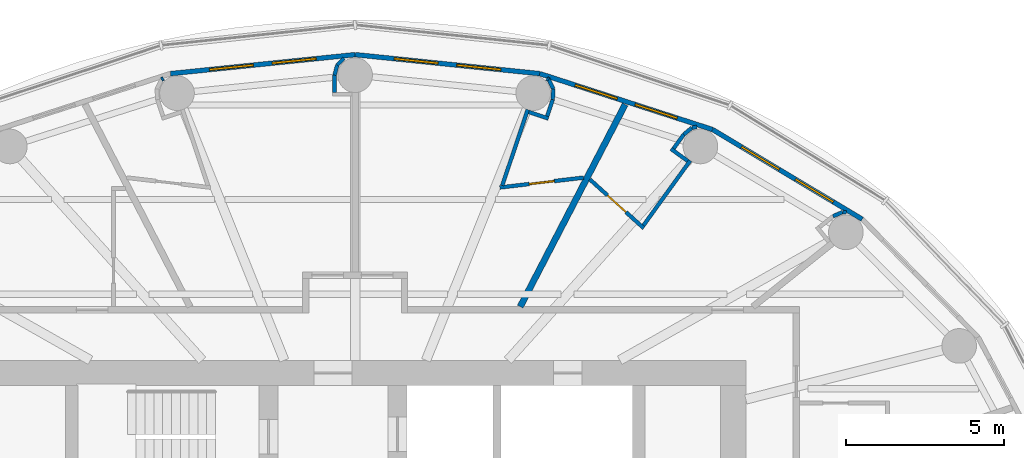
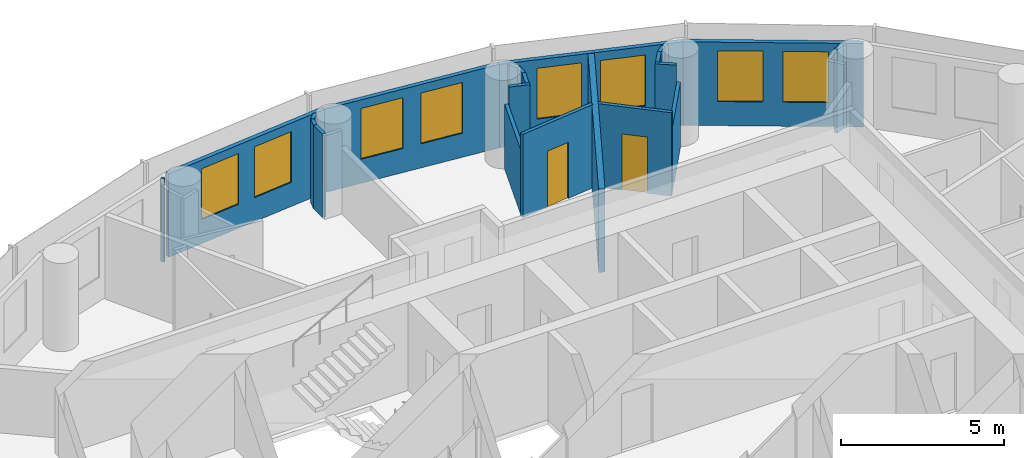
# One storey, part 13 of 16: 24 walls, 8 windows, 2 doors, 10 openings.
"""IFC4 building model written with IfcOpenShell, lengths in metres."""

from ifc_helpers import new_model, si_unit, direction, frame, frame_2d, origin, place, context, subcontext, project, spatial, rectangle, extrude, material, layer, layer_set, type_object, element, fill, save


model = new_model("IFC4")

# Units and contexts
model_context = context("Model", 3, precision=1e-05, world=origin(), true_north=direction((0.0, 1.0)))
body_context = subcontext(model_context, "Body", "Model", "MODEL_VIEW")
ifc_project = project(units=[si_unit("LENGTHUNIT", "METRE"), si_unit("AREAUNIT", "SQUARE_METRE"), si_unit("VOLUMEUNIT", "CUBIC_METRE"), si_unit("PLANEANGLEUNIT", "RADIAN"), si_unit("MASSUNIT", "GRAM", prefix="KILO")], contexts=[model_context])

# Site, building, storey
site_placement = place(None, origin())
site = spatial("IfcSite", under=ifc_project, at=site_placement, CompositionType="ELEMENT")
building_placement = place(site_placement, origin())
building = spatial("IfcBuilding", under=site, at=building_placement, Name="Hankou Lantern Tower", CompositionType="ELEMENT")
storey_placement = place(building_placement, frame((0.0, 0.0, 173.10009765625)))
storey = spatial("IfcBuildingStorey", under=building, at=storey_placement, Name="L46", CompositionType="ELEMENT", Elevation=173.10009765625)

# Wall, openings, windows
ifc_material_1 = material(Name="Aluminium spandrel panel on steel studs", Category="steel")
ifc_layer_1 = layer(ifc_material_1, 0.14990234375)
ifc_layer_set_1 = layer_set([ifc_layer_1], Name="Aluminium spandrel panel on steel studs")
wall_type_1 = type_object("IfcWallType", Name="EW1 INNER SKIN WALL 150", PredefinedType="ELEMENTEDWALL", material=ifc_layer_set_1)
wall_1_placement = place(storey_placement, frame((16.0947265625, 12.875732421875, 0.0), z_axis=(0.0, 0.0, 1.0), x_axis=(-0.857695199231, 0.514158482587, 0.0)))
wall_1 = element("IfcWall", 1, at=wall_1_placement, inside=storey, type_object=wall_type_1, Name="Inner skin R04-R05 L46", PredefinedType="ELEMENTEDWALL", context=body_context, shape_type="SweptSolid", body=[
    extrude(rectangle(XDim=5.5361328125, YDim=0.14990234375, at=frame_2d((2.76806640625, 0.0))), origin(), (0.0, 0.0, 1.0), 3.119873046875),
])
opening_1_placement = place(wall_1_placement, frame((1.068115234375, 0.0, 0.89990234375)))
opening_1 = element("IfcOpeningElement", 2, at=opening_1_placement, cuts=wall_1, Name="Opening W3", PredefinedType="OPENING", context=body_context, shape_type="SweptSolid", body=[
    extrude(rectangle(XDim=1.39990234375, YDim=1.89990234375, at=frame_2d((0.699951171875, 0.949951171875))), frame((0.0, 0.0849609375, 0.0), z_axis=(0.0, -1.0, 0.0), x_axis=(1.0, 0.0, 0.0)), (0.0, 0.0, 1.0), 0.169921875),
])
opening_2_placement = place(wall_1_placement, frame((3.068115234375, 0.0, 0.89990234375)))
opening_2 = element("IfcOpeningElement", 3, at=opening_2_placement, cuts=wall_1, Name="Opening W3", PredefinedType="OPENING", context=body_context, shape_type="SweptSolid", body=[
    extrude(rectangle(XDim=1.39990234375, YDim=1.89990234375, at=frame_2d((0.699951171875, 0.949951171875))), frame((0.0, 0.0849609375, 0.0), z_axis=(0.0, -1.0, 0.0), x_axis=(1.0, 0.0, 0.0)), (0.0, 0.0, 1.0), 0.169921875),
])
ifc_material_2 = material(Name="Aluminium framed double glazed window", Category="aluminium")
window_type = type_object("IfcWindowType", Name="W3 GUEST ROOM WINDOW 1400X1900", PartitioningType="DOUBLE_PANEL_VERTICAL", PredefinedType="WINDOW", material=ifc_material_2)
window_1_placement = place(opening_1_placement, origin())
window_1 = element("IfcWindow", 4, at=window_1_placement, inside=storey, type_object=window_type, Name="Window R04.1 L46", OverallHeight=1.89990234375, OverallWidth=1.39990234375, PartitioningType="SINGLE_PANEL", PredefinedType="WINDOW", context=body_context, shape_type="SweptSolid", body=[
    extrude(rectangle(XDim=1.39990234375, YDim=1.89990234375, at=frame_2d((0.699951171875, 0.949951171875))), frame((0.0, 0.030029296875, 0.0), z_axis=(0.0, -1.0, 0.0), x_axis=(1.0, 0.0, 0.0)), (0.0, 0.0, 1.0), 0.06005859375),
])
fill(opening_1, window_1)
window_2_placement = place(opening_2_placement, origin())
window_2 = element("IfcWindow", 5, at=window_2_placement, inside=storey, type_object=window_type, Name="Window R04.2 L46", OverallHeight=1.89990234375, OverallWidth=1.39990234375, PartitioningType="SINGLE_PANEL", PredefinedType="WINDOW", context=body_context, shape_type="SweptSolid", body=[
    extrude(rectangle(XDim=1.39990234375, YDim=1.89990234375, at=frame_2d((0.699951171875, 0.949951171875))), frame((0.0, 0.030029296875, 0.0), z_axis=(0.0, -1.0, 0.0), x_axis=(1.0, 0.0, 0.0)), (0.0, 0.0, 1.0), 0.06005859375),
])
fill(opening_2, window_2)

wall_2_placement = place(storey_placement, frame((11.346435546875, 15.72216796875, 0.0), z_axis=(0.0, 0.0, 1.0), x_axis=(-0.951432482129, 0.307857486429, 0.0)))
wall_2 = element("IfcWall", 6, at=wall_2_placement, inside=storey, type_object=wall_type_1, Name="Inner skin R05-R06 L46", PredefinedType="ELEMENTEDWALL", context=body_context, shape_type="SweptSolid", body=[
    extrude(rectangle(XDim=5.76611328125, YDim=0.14990234375, at=frame_2d((2.883056640625, 0.0))), origin(), (0.0, 0.0, 1.0), 3.119873046875),
])
opening_3_placement = place(wall_2_placement, frame((1.18310546875, 0.0, 0.89990234375)))
opening_3 = element("IfcOpeningElement", 7, at=opening_3_placement, cuts=wall_2, Name="Opening W3", PredefinedType="OPENING", context=body_context, shape_type="SweptSolid", body=[
    extrude(rectangle(XDim=1.39990234375, YDim=1.89990234375, at=frame_2d((0.699951171875, 0.949951171875))), frame((0.0, 0.0849609375, 0.0), z_axis=(0.0, -1.0, 0.0), x_axis=(1.0, 0.0, 0.0)), (0.0, 0.0, 1.0), 0.169921875),
])
opening_4_placement = place(wall_2_placement, frame((3.18310546875, 0.0, 0.89990234375)))
opening_4 = element("IfcOpeningElement", 8, at=opening_4_placement, cuts=wall_2, Name="Opening W3", PredefinedType="OPENING", context=body_context, shape_type="SweptSolid", body=[
    extrude(rectangle(XDim=1.39990234375, YDim=1.89990234375, at=frame_2d((0.699951171875, 0.949951171875))), frame((0.0, 0.0849609375, 0.0), z_axis=(0.0, -1.0, 0.0), x_axis=(1.0, 0.0, 0.0)), (0.0, 0.0, 1.0), 0.169921875),
])
window_3_placement = place(opening_3_placement, origin())
window_3 = element("IfcWindow", 9, at=window_3_placement, inside=storey, type_object=window_type, Name="Window R05.1 L46", OverallHeight=1.89990234375, OverallWidth=1.39990234375, PartitioningType="SINGLE_PANEL", PredefinedType="WINDOW", context=body_context, shape_type="SweptSolid", body=[
    extrude(rectangle(XDim=1.39990234375, YDim=1.89990234375, at=frame_2d((0.699951171875, 0.949951171875))), frame((0.0, 0.030029296875, 0.0), z_axis=(0.0, -1.0, 0.0), x_axis=(1.0, 0.0, 0.0)), (0.0, 0.0, 1.0), 0.06005859375),
])
fill(opening_3, window_3)
window_4_placement = place(opening_4_placement, origin())
window_4 = element("IfcWindow", 10, at=window_4_placement, inside=storey, type_object=window_type, Name="Window R05.2 L46", OverallHeight=1.89990234375, OverallWidth=1.39990234375, PartitioningType="SINGLE_PANEL", PredefinedType="WINDOW", context=body_context, shape_type="SweptSolid", body=[
    extrude(rectangle(XDim=1.39990234375, YDim=1.89990234375, at=frame_2d((0.699951171875, 0.949951171875))), frame((0.0, 0.030029296875, 0.0), z_axis=(0.0, -1.0, 0.0), x_axis=(1.0, 0.0, 0.0)), (0.0, 0.0, 1.0), 0.06005859375),
])
fill(opening_4, window_4)

wall_3_placement = place(storey_placement, frame((5.8603515625, 17.497314453125, 0.0), z_axis=(0.0, 0.0, 1.0), x_axis=(-0.994751738032, 0.102318032045, 0.0)))
wall_3 = element("IfcWall", 11, at=wall_3_placement, inside=storey, type_object=wall_type_1, Name="Inner skin R06-R07 L46", PredefinedType="ELEMENTEDWALL", context=body_context, shape_type="SweptSolid", body=[
    extrude(rectangle(XDim=5.891357421875, YDim=0.14990234375, at=frame_2d((2.94580078125, 0.0))), origin(), (0.0, 0.0, 1.0), 3.119873046875),
])
opening_5_placement = place(wall_3_placement, frame((1.24560546875, 0.0, 0.89990234375)))
opening_5 = element("IfcOpeningElement", 12, at=opening_5_placement, cuts=wall_3, Name="Opening W3", PredefinedType="OPENING", context=body_context, shape_type="SweptSolid", body=[
    extrude(rectangle(XDim=1.39990234375, YDim=1.89990234375, at=frame_2d((0.699951171875, 0.949951171875))), frame((0.0, 0.0849609375, 0.0), z_axis=(0.0, -1.0, 0.0), x_axis=(1.0, 0.0, 0.0)), (0.0, 0.0, 1.0), 0.169921875),
])
opening_6_placement = place(wall_3_placement, frame((3.24560546875, 0.0, 0.89990234375)))
opening_6 = element("IfcOpeningElement", 13, at=opening_6_placement, cuts=wall_3, Name="Opening W3", PredefinedType="OPENING", context=body_context, shape_type="SweptSolid", body=[
    extrude(rectangle(XDim=1.39990234375, YDim=1.89990234375, at=frame_2d((0.699951171875, 0.949951171875))), frame((0.0, 0.0849609375, 0.0), z_axis=(0.0, -1.0, 0.0), x_axis=(1.0, 0.0, 0.0)), (0.0, 0.0, 1.0), 0.169921875),
])
window_5_placement = place(opening_5_placement, origin())
window_5 = element("IfcWindow", 14, at=window_5_placement, inside=storey, type_object=window_type, Name="Window R06.1 L46", OverallHeight=1.89990234375, OverallWidth=1.39990234375, PartitioningType="SINGLE_PANEL", PredefinedType="WINDOW", context=body_context, shape_type="SweptSolid", body=[
    extrude(rectangle(XDim=1.39990234375, YDim=1.89990234375, at=frame_2d((0.699951171875, 0.949951171875))), frame((0.0, 0.030029296875, 0.0), z_axis=(0.0, -1.0, 0.0), x_axis=(1.0, 0.0, 0.0)), (0.0, 0.0, 1.0), 0.06005859375),
])
fill(opening_5, window_5)
window_6_placement = place(opening_6_placement, origin())
window_6 = element("IfcWindow", 15, at=window_6_placement, inside=storey, type_object=window_type, Name="Window R06.2 L46", OverallHeight=1.89990234375, OverallWidth=1.39990234375, PartitioningType="SINGLE_PANEL", PredefinedType="WINDOW", context=body_context, shape_type="SweptSolid", body=[
    extrude(rectangle(XDim=1.39990234375, YDim=1.89990234375, at=frame_2d((0.699951171875, 0.949951171875))), frame((0.0, 0.030029296875, 0.0), z_axis=(0.0, -1.0, 0.0), x_axis=(1.0, 0.0, 0.0)), (0.0, 0.0, 1.0), 0.06005859375),
])
fill(opening_6, window_6)

wall_4_placement = place(storey_placement, frame((0.0, 18.10009765625, 0.0), z_axis=(0.0, 0.0, 1.0), x_axis=(-0.994751738032, -0.102318032045, 0.0)))
wall_4 = element("IfcWall", 16, at=wall_4_placement, inside=storey, type_object=wall_type_1, Name="Inner skin R07-R08 L46", PredefinedType="ELEMENTEDWALL", context=body_context, shape_type="SweptSolid", body=[
    extrude(rectangle(XDim=5.891357421875, YDim=0.14990234375, at=frame_2d((2.94580078125, 0.0))), origin(), (0.0, 0.0, 1.0), 3.119873046875),
])
opening_7_placement = place(wall_4_placement, frame((1.24560546875, 0.0, 0.89990234375)))
opening_7 = element("IfcOpeningElement", 17, at=opening_7_placement, cuts=wall_4, Name="Opening W3", PredefinedType="OPENING", context=body_context, shape_type="SweptSolid", body=[
    extrude(rectangle(XDim=1.39990234375, YDim=1.89990234375, at=frame_2d((0.699951171875, 0.949951171875))), frame((0.0, 0.0849609375, 0.0), z_axis=(0.0, -1.0, 0.0), x_axis=(1.0, 0.0, 0.0)), (0.0, 0.0, 1.0), 0.169921875),
])
opening_8_placement = place(wall_4_placement, frame((3.24560546875, 0.0, 0.89990234375)))
opening_8 = element("IfcOpeningElement", 18, at=opening_8_placement, cuts=wall_4, Name="Opening W3", PredefinedType="OPENING", context=body_context, shape_type="SweptSolid", body=[
    extrude(rectangle(XDim=1.39990234375, YDim=1.89990234375, at=frame_2d((0.699951171875, 0.949951171875))), frame((0.0, 0.0849609375, 0.0), z_axis=(0.0, -1.0, 0.0), x_axis=(1.0, 0.0, 0.0)), (0.0, 0.0, 1.0), 0.169921875),
])
window_7_placement = place(opening_7_placement, origin())
window_7 = element("IfcWindow", 19, at=window_7_placement, inside=storey, type_object=window_type, Name="Window R07.1 L46", OverallHeight=1.89990234375, OverallWidth=1.39990234375, PartitioningType="SINGLE_PANEL", PredefinedType="WINDOW", context=body_context, shape_type="SweptSolid", body=[
    extrude(rectangle(XDim=1.39990234375, YDim=1.89990234375, at=frame_2d((0.699951171875, 0.949951171875))), frame((0.0, 0.030029296875, 0.0), z_axis=(0.0, -1.0, 0.0), x_axis=(1.0, 0.0, 0.0)), (0.0, 0.0, 1.0), 0.06005859375),
])
fill(opening_7, window_7)
window_8_placement = place(opening_8_placement, origin())
window_8 = element("IfcWindow", 20, at=window_8_placement, inside=storey, type_object=window_type, Name="Window R07.2 L46", OverallHeight=1.89990234375, OverallWidth=1.39990234375, PartitioningType="SINGLE_PANEL", PredefinedType="WINDOW", context=body_context, shape_type="SweptSolid", body=[
    extrude(rectangle(XDim=1.39990234375, YDim=1.89990234375, at=frame_2d((0.699951171875, 0.949951171875))), frame((0.0, 0.030029296875, 0.0), z_axis=(0.0, -1.0, 0.0), x_axis=(1.0, 0.0, 0.0)), (0.0, 0.0, 1.0), 0.06005859375),
])
fill(opening_8, window_8)

# Wall
ifc_material_3 = material(Name="Masonry lightweight concrete block", Category="masonry")
ifc_layer_2 = layer(ifc_material_3, 0.199951171875)
ifc_layer_set_2 = layer_set([ifc_layer_2], Name="Masonry lightweight concrete block")
wall_type_2 = type_object("IfcWallType", Name="IW1 GUEST ROOM PARTY WALL 200", PredefinedType="PARTITIONING", material=ifc_layer_set_2)
wall_5_placement = place(storey_placement, frame((5.239990234375, 10.10009765625, 0.0), z_axis=(0.0, 0.0, 1.0), x_axis=(0.460532965373, 0.887642601391, 0.0)))
element("IfcWall", 21, at=wall_5_placement, inside=storey, type_object=wall_type_2, Name="Party wall R05-R06", PredefinedType="PARTITIONING", context=body_context, shape_type="SweptSolid", body=[
    extrude(rectangle(XDim=7.2314453125, YDim=0.199951171875, at=frame_2d((3.61572265625, 0.0))), origin(), (0.0, 0.0, 1.0), 3.119873046875),
])

# Wall, opening, door
ifc_material_4 = material(Name="Masonry lightweight concrete block", Category="masonry")
ifc_layer_3 = layer(ifc_material_4, 0.1201171875)
ifc_layer_set_3 = layer_set([ifc_layer_3], Name="Masonry lightweight concrete block")
wall_type_3 = type_object("IfcWallType", Name="IW3 BATHROOM WALL 120", PredefinedType="PARTITIONING", material=ifc_layer_set_3)
wall_6_placement = place(storey_placement, frame((7.44970703125, 14.1416015625, 0.0), z_axis=(0.0, 0.0, 1.0), x_axis=(0.74113984586, -0.671350675041, 0.0)))
wall_6 = element("IfcWall", 22, at=wall_6_placement, inside=storey, type_object=wall_type_3, Name="Box wall 4607 1", PredefinedType="PARTITIONING", context=body_context, shape_type="SweptSolid", body=[
    extrude(rectangle(XDim=2.308837890625, YDim=0.1201171875, at=frame_2d((1.154296875, 0.0))), origin(), (0.0, 0.0, 1.0), 3.119873046875),
])
opening_9_placement = place(wall_6_placement, frame((0.75439453125, 0.0, 0.0)))
opening_9 = element("IfcOpeningElement", 23, at=opening_9_placement, cuts=wall_6, Name="Opening D3", PredefinedType="OPENING", context=body_context, shape_type="SweptSolid", body=[
    extrude(rectangle(XDim=0.800048828125, YDim=2.10009765625, at=frame_2d((0.39990234375, 1.050048828125))), frame((0.0, 0.070068359375, 0.0), z_axis=(0.0, -1.0, 0.0), x_axis=(1.0, 0.0, 0.0)), (0.0, 0.0, 1.0), 0.14013671875),
])
ifc_material_5 = material(Name="Timber door leaf", Category="wood")
door_type = type_object("IfcDoorType", Name="D3 BATHROOM DOOR 800X2100", OperationType="SINGLE_SWING_LEFT", PredefinedType="DOOR", material=ifc_material_5)
door_1_placement = place(opening_9_placement, origin())
door_1 = element("IfcDoor", 24, at=door_1_placement, inside=storey, type_object=door_type, Name="En-suite bathroom 4607 door", OperationType="SINGLE_SWING_RIGHT", OverallHeight=2.10009765625, OverallWidth=0.800048828125, PredefinedType="DOOR", context=body_context, shape_type="SweptSolid", body=[
    extrude(rectangle(XDim=0.800048828125, YDim=2.10009765625, at=frame_2d((0.39990234375, 1.050048828125))), frame((0.0, 0.02490234375, 0.0), z_axis=(0.0, -1.0, 0.0), x_axis=(1.0, 0.0, 0.0)), (0.0, 0.0, 1.0), 0.050048828125),
])
fill(opening_9, door_1)

# Walls
wall_7_placement = place(storey_placement, frame((9.1513671875, 12.6806640625, 0.0), z_axis=(0.0, 0.0, 1.0), x_axis=(0.585258912334, 0.8108464747, 0.0)))
element("IfcWall", 25, at=wall_7_placement, inside=storey, type_object=wall_type_3, Name="Box wall 4607 2", PredefinedType="PARTITIONING", context=body_context, shape_type="SweptSolid", body=[
    extrude(rectangle(XDim=2.5400390625, YDim=0.1201171875, at=frame_2d((1.27001953125, 0.0))), origin(), (0.0, 0.0, 1.0), 2.419921875),
])
wall_8_placement = place(storey_placement, frame((10.55419921875, 14.726806640625, 0.0), z_axis=(0.0, 0.0, 1.0), x_axis=(-0.811044231224, 0.584984833135, 0.0)))
element("IfcWall", 26, at=wall_8_placement, inside=storey, type_object=wall_type_3, Name="Column casing 4607 return", PredefinedType="PARTITIONING", context=body_context, shape_type="SweptSolid", body=[
    extrude(rectangle(XDim=0.65234375, YDim=0.1201171875, at=frame_2d((0.326171875, 0.0))), origin(), (0.0, 0.0, 1.0), 3.119873046875),
])
wall_9_placement = place(storey_placement, frame((10.10888671875, 15.121826171875, 0.0), z_axis=(0.0, 0.0, 1.0), x_axis=(0.585344718358, 0.810784534072, 0.0)))
element("IfcWall", 27, at=wall_9_placement, inside=storey, type_object=wall_type_3, Name="Column casing 4607", PredefinedType="PARTITIONING", context=body_context, shape_type="SweptSolid", body=[
    extrude(rectangle(XDim=0.550048828125, YDim=0.1201171875, at=frame_2d((0.27490234375, 0.0))), origin(), (0.0, 0.0, 1.0), 3.119873046875),
])
wall_10_placement = place(storey_placement, frame((10.430908203125, 15.56787109375, 0.0), z_axis=(0.0, 0.0, 1.0), x_axis=(0.77505137267, 0.631898227345, 0.0)))
element("IfcWall", 28, at=wall_10_placement, inside=storey, type_object=wall_type_3, Name="Column casing 4607", PredefinedType="PARTITIONING", context=body_context, shape_type="SweptSolid", body=[
    extrude(rectangle(XDim=0.337646484375, YDim=0.1201171875, at=frame_2d((0.1689453125, 0.0))), origin(), (0.0, 0.0, 1.0), 3.119873046875),
])
wall_11_placement = place(storey_placement, frame((10.692626953125, 15.78125, 0.0), z_axis=(0.0, 0.0, 1.0), x_axis=(0.987256785332, 0.159135287777, 0.0)))
element("IfcWall", 29, at=wall_11_placement, inside=storey, type_object=wall_type_3, Name="Column casing 4607", PredefinedType="PARTITIONING", context=body_context, shape_type="SweptSolid", body=[
    extrude(rectangle(XDim=0.157958984375, YDim=0.1201171875, at=frame_2d((0.0791015625, 0.0))), origin(), (0.0, 0.0, 1.0), 3.119873046875),
])

# Wall, opening, door
wall_12_placement = place(storey_placement, frame((7.2529296875, 14.197021484375, 0.0), z_axis=(0.0, 0.0, 1.0), x_axis=(-0.993128188393, -0.117031625725, 0.0)))
wall_12 = element("IfcWall", 30, at=wall_12_placement, inside=storey, type_object=wall_type_3, Name="Box wall 4608 1", PredefinedType="PARTITIONING", context=body_context, shape_type="SweptSolid", body=[
    extrude(rectangle(XDim=2.678466796875, YDim=0.1201171875, at=frame_2d((1.33935546875, 0.0))), origin(), (0.0, 0.0, 1.0), 3.119873046875),
])
opening_10_placement = place(wall_12_placement, frame((0.939208984375, 0.0, 0.0)))
opening_10 = element("IfcOpeningElement", 31, at=opening_10_placement, cuts=wall_12, Name="Opening D3", PredefinedType="OPENING", context=body_context, shape_type="SweptSolid", body=[
    extrude(rectangle(XDim=0.800048828125, YDim=2.10009765625, at=frame_2d((0.39990234375, 1.050048828125))), frame((0.0, 0.070068359375, 0.0), z_axis=(0.0, -1.0, 0.0), x_axis=(1.0, 0.0, 0.0)), (0.0, 0.0, 1.0), 0.14013671875),
])
door_2_placement = place(opening_10_placement, origin())
door_2 = element("IfcDoor", 32, at=door_2_placement, inside=storey, type_object=door_type, Name="En-suite bathroom 4608 door", OperationType="SINGLE_SWING_LEFT", OverallHeight=2.10009765625, OverallWidth=0.800048828125, PredefinedType="DOOR", context=body_context, shape_type="SweptSolid", body=[
    extrude(rectangle(XDim=0.800048828125, YDim=2.10009765625, at=frame_2d((0.39990234375, 1.050048828125))), frame((0.0, 0.02490234375, 0.0), z_axis=(0.0, -1.0, 0.0), x_axis=(1.0, 0.0, 0.0)), (0.0, 0.0, 1.0), 0.050048828125),
])
fill(opening_10, door_2)

# Walls
wall_13_placement = place(storey_placement, frame((4.67138671875, 13.947509765625, 0.0), z_axis=(0.0, 0.0, 1.0), x_axis=(0.317669167093, 0.948201613729, 0.0)))
element("IfcWall", 33, at=wall_13_placement, inside=storey, type_object=wall_type_3, Name="Box wall 4608 2", PredefinedType="PARTITIONING", context=body_context, shape_type="SweptSolid", body=[
    extrude(rectangle(XDim=2.5400390625, YDim=0.1201171875, at=frame_2d((1.27001953125, 0.0))), origin(), (0.0, 0.0, 1.0), 2.419921875),
])
wall_14_placement = place(storey_placement, frame((5.51611328125, 16.280029296875, 0.0), z_axis=(0.0, 0.0, 1.0), x_axis=(0.948157944392, -0.317799484717, 0.0)))
element("IfcWall", 34, at=wall_14_placement, inside=storey, type_object=wall_type_3, Name="Column casing 4608 return", PredefinedType="PARTITIONING", context=body_context, shape_type="SweptSolid", body=[
    extrude(rectangle(XDim=0.652099609375, YDim=0.1201171875, at=frame_2d((0.326171875, 0.0))), origin(), (0.0, 0.0, 1.0), 3.119873046875),
])
wall_15_placement = place(storey_placement, frame((6.0966796875, 16.148681640625, 0.0), z_axis=(0.0, 0.0, 1.0), x_axis=(0.317292604854, 0.948327687514, 0.0)))
element("IfcWall", 35, at=wall_15_placement, inside=storey, type_object=wall_type_3, Name="Column casing 4608", PredefinedType="PARTITIONING", context=body_context, shape_type="SweptSolid", body=[
    extrude(rectangle(XDim=0.550048828125, YDim=0.1201171875, at=frame_2d((0.27490234375, 0.0))), origin(), (0.0, 0.0, 1.0), 3.119873046875),
])
for number, where, z_axis, x_axis, name in (
    (36, (6.271240234375, 16.67041015625, 0.0), (0.0, 0.0, 1.0), (0.061477694849, 0.998108457552, 0.0), "Column casing 4608"),
    (37, (6.2919921875, 17.00732421875, 0.0), (0.0, 0.0, 1.0), (-0.445477128334, 0.895293319606, 0.0), "Column casing 4608"),
):
    element("IfcWall", number, at=place(storey_placement, frame(where, z_axis=z_axis, x_axis=x_axis)), inside=storey, type_object=wall_type_3, Name=name, PredefinedType="PARTITIONING", context=body_context, shape_type="SweptSolid", body=[
        extrude(rectangle(XDim=0.337646484375, YDim=0.1201171875, at=frame_2d((0.1689453125, 0.0))), origin(), (0.0, 0.0, 1.0), 3.119873046875),
    ])
for number, where, z_axis, x_axis, name in (
    (38, (6.1416015625, 17.3095703125, 0.0), (0.0, 0.0, 1.0), (-0.835039693181, 0.550189704386, 0.0), "Column casing 4608"),
    (39, (-6.1416015625, 17.3095703125, 0.0), (0.0, 0.0, 1.0), (0.835039693181, 0.550189704386, 0.0), "Column casing 4609"),
):
    element("IfcWall", number, at=place(storey_placement, frame(where, z_axis=z_axis, x_axis=x_axis)), inside=storey, type_object=wall_type_3, Name=name, PredefinedType="PARTITIONING", context=body_context, shape_type="SweptSolid", body=[
        extrude(rectangle(XDim=0.0625, YDim=0.1201171875, at=frame_2d((0.03125, 0.0))), origin(), (0.0, 0.0, 1.0), 3.119873046875),
    ])
ifc_material_6 = material(Name="Masonry lightweight concrete block", Category="masonry")
ifc_layer_4 = layer(ifc_material_6, 0.1201171875)
ifc_layer_set_4 = layer_set([ifc_layer_4], Name="Masonry lightweight concrete block")
wall_type_4 = type_object("IfcWallType", Name="IW4 PARTITION 120", PredefinedType="PARTITIONING", material=ifc_layer_set_4)
wall_16_placement = place(storey_placement, frame((15.168701171875, 12.97021484375, 0.0), z_axis=(0.0, 0.0, 1.0), x_axis=(0.915974725257, 0.401235968838, 0.0)))
element("IfcWall", 40, at=wall_16_placement, inside=storey, type_object=wall_type_4, Name="Column casing R04", PredefinedType="PARTITIONING", context=body_context, shape_type="SweptSolid", body=[
    extrude(rectangle(XDim=0.337646484375, YDim=0.1201171875, at=frame_2d((0.1689453125, 0.0))), origin(), (0.0, 0.0, 1.0), 3.119873046875),
])
wall_17_placement = place(storey_placement, frame((15.47802734375, 13.105712890625, 0.0), z_axis=(0.0, 0.0, 1.0), x_axis=(0.993778813557, -0.111371763588, 0.0)))
element("IfcWall", 41, at=wall_17_placement, inside=storey, type_object=wall_type_4, Name="Column casing R04", PredefinedType="PARTITIONING", context=body_context, shape_type="SweptSolid", body=[
    extrude(rectangle(XDim=0.114013671875, YDim=0.1201171875, at=frame_2d((0.05712890625, 0.0))), origin(), (0.0, 0.0, 1.0), 3.119873046875),
])
wall_18_placement = place(storey_placement, frame((-0.65234375, 16.89990234375, 0.0), z_axis=(0.0, 0.0, 1.0), x_axis=(0.0, 1.0, 0.0)))
element("IfcWall", 42, at=wall_18_placement, inside=storey, type_object=wall_type_4, Name="Column casing R07", PredefinedType="PARTITIONING", context=body_context, shape_type="SweptSolid", body=[
    extrude(rectangle(XDim=0.550048828125, YDim=0.1201171875, at=frame_2d((0.27490234375, 0.0))), origin(), (0.0, 0.0, 1.0), 3.119873046875),
])
wall_19_placement = place(storey_placement, frame((-0.65234375, 17.449951171875, 0.0), z_axis=(0.0, 0.0, 1.0), x_axis=(0.258832454679, 0.965922233104, 0.0)))
element("IfcWall", 43, at=wall_19_placement, inside=storey, type_object=wall_type_4, Name="Column casing R07", PredefinedType="PARTITIONING", context=body_context, shape_type="SweptSolid", body=[
    extrude(rectangle(XDim=0.337646484375, YDim=0.1201171875, at=frame_2d((0.1689453125, 0.0))), origin(), (0.0, 0.0, 1.0), 3.119873046875),
])
wall_20_placement = place(storey_placement, frame((-0.56494140625, 17.776123046875, 0.0), z_axis=(0.0, 0.0, 1.0), x_axis=(0.707106781187, 0.707106781187, 0.0)))
element("IfcWall", 44, at=wall_20_placement, inside=storey, type_object=wall_type_4, Name="Column casing R07", PredefinedType="PARTITIONING", context=body_context, shape_type="SweptSolid", body=[
    extrude(rectangle(XDim=0.30078125, YDim=0.1201171875, at=frame_2d((0.150390625, 0.0))), origin(), (0.0, 0.0, 1.0), 3.119873046875),
])

save(model, "model.ifc")
